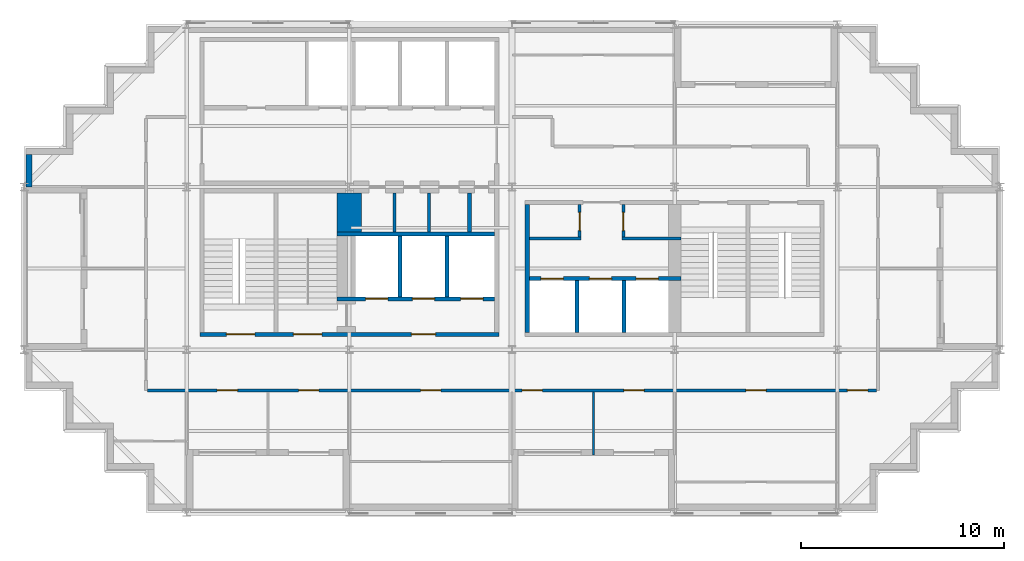
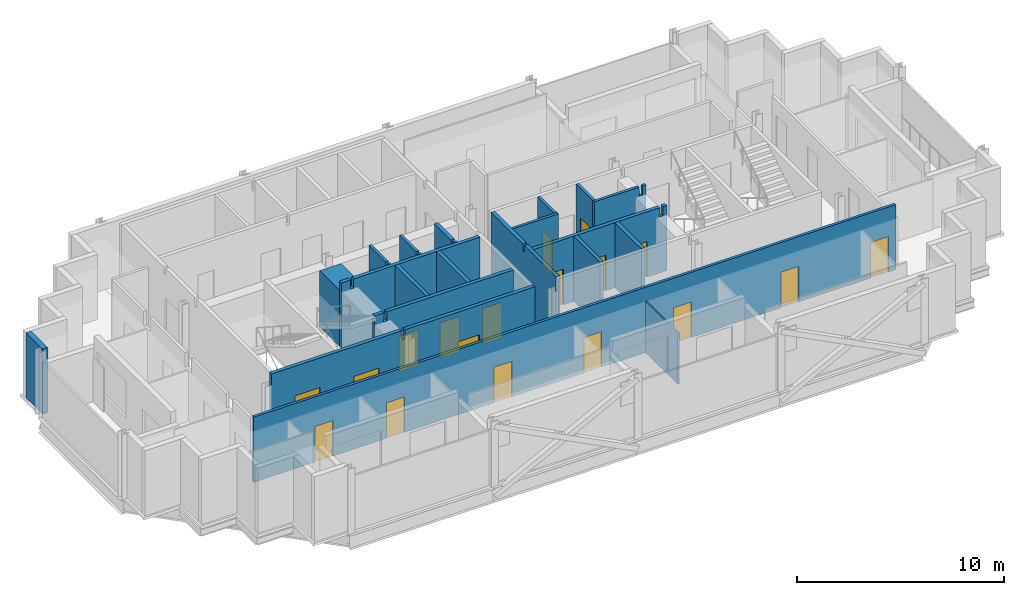
# One storey, part 5 of 9: 20 walls, 18 doors, 18 openings.
"""IFC4 building model written with IfcOpenShell, lengths in metres."""

from ifc_helpers import new_model, si_unit, direction, frame, frame_2d, origin, place, context, subcontext, project, spatial, polyline, rectangle, outline, extrude, material, layer, layer_set, type_object, element, fill, save


model = new_model("IFC4")

# Units and contexts
model_context = context("Model", 3, precision=1e-05, world=origin(), true_north=direction((0.0, 1.0)))
body_context = subcontext(model_context, "Body", "Model", "MODEL_VIEW")
ifc_project = project(units=[si_unit("LENGTHUNIT", "METRE"), si_unit("AREAUNIT", "SQUARE_METRE"), si_unit("VOLUMEUNIT", "CUBIC_METRE"), si_unit("PLANEANGLEUNIT", "RADIAN"), si_unit("MASSUNIT", "GRAM", prefix="KILO")], contexts=[model_context])

# Site, building, storey
site_placement = place(None, origin())
site = spatial("IfcSite", under=ifc_project, at=site_placement, CompositionType="ELEMENT")
building_placement = place(site_placement, origin())
building = spatial("IfcBuilding", under=site, at=building_placement, Name="Immortelle Media Tower", CompositionType="ELEMENT")
storey_placement = place(building_placement, frame((0.0, 0.0, 247.0)))
storey = spatial("IfcBuildingStorey", under=building, at=storey_placement, Name="L53", CompositionType="ELEMENT", Elevation=247.0)

# Walls
ifc_material_1 = material(Name="Fire-rated gypsum board", Category="gypsum")
ifc_layer_1 = layer(ifc_material_1, 0.02490234375)
ifc_material_2 = material(Name="Steel ASTM A653 SS Gr 50 stud frame with mineral wool", Category="steel")
ifc_layer_2 = layer(ifc_material_2, 0.10009765625)
ifc_layer_3 = layer(ifc_material_1, 0.02490234375)
ifc_layer_set_1 = layer_set([ifc_layer_1, ifc_layer_2, ifc_layer_3], Name="Steel ASTM A653 SS Gr 50 stud frame with mineral wool")
wall_type_1 = type_object("IfcWallType", Name="Core partition 150", PredefinedType="PARTITIONING", material=ifc_layer_set_1)
for number, where, z_axis, x_axis, name in (
    (1, (18.22509765625, 13.800048828125, 0.0), (0.0, 0.0, 1.0), (0.0, 1.0, 0.0), "Core partition SW"),
    (2, (19.925048828125, 13.800048828125, 0.0), (0.0, 0.0, 1.0), (0.0, 1.0, 0.0), "Core partition SW"),
):
    element("IfcWall", number, at=place(storey_placement, frame(where, z_axis=z_axis, x_axis=x_axis)), inside=storey, type_object=wall_type_1, Name=name, PredefinedType="PARTITIONING", context=body_context, shape_type="SweptSolid", body=[
        extrude(outline(polyline([(0.0, 0.0), (1.89990234375, 0.0), (1.89990234375, 3.85009765625), (0.27490234375, 3.85009765625), (0.27392578125, 3.43994140625), (0.1259765625, 3.43994140625), (0.125, 3.85009765625), (0.0, 3.85009765625), (0.0, 0.0)])), frame((0.0, 0.074951171875, 0.0), z_axis=(0.0, -1.0, 0.0), x_axis=(1.0, 0.0, 0.0)), (0.0, 0.0, 1.0), 0.14990234375),
    ])
wall_1_placement = place(storey_placement, frame((24.85009765625, 13.47509765625, 0.0), z_axis=(0.0, 0.0, 1.0), x_axis=(1.0, 0.0, 0.0)))
element("IfcWall", 3, at=wall_1_placement, inside=storey, type_object=wall_type_1, Name="Core partition SE", PredefinedType="PARTITIONING", context=body_context, shape_type="SweptSolid", body=[
    extrude(rectangle(XDim=2.5498046875, YDim=0.14990234375, at=frame_2d((1.27490234375, 0.0))), origin(), (0.0, 0.0, 1.0), 3.85009765625),
])

# Wall, opening, door
wall_2_placement = place(storey_placement, frame((27.324951171875, 13.550048828125, 0.0), z_axis=(0.0, 0.0, 1.0), x_axis=(0.0, 1.0, 0.0)))
wall_2 = element("IfcWall", 4, at=wall_2_placement, inside=storey, type_object=wall_type_1, Name="Core partition SE", PredefinedType="PARTITIONING", context=body_context, shape_type="SweptSolid", body=[
    extrude(rectangle(XDim=1.599853515625, YDim=0.14990234375, at=frame_2d((0.7998046875, 0.0))), origin(), (0.0, 0.0, 1.0), 3.85009765625),
])
opening_1_placement = place(wall_2_placement, frame((0.300048828125, 0.0, 0.0)))
opening_1 = element("IfcOpeningElement", 5, at=opening_1_placement, cuts=wall_2, Name="Opening X1-K020", PredefinedType="OPENING", context=body_context, shape_type="SweptSolid", body=[
    extrude(rectangle(XDim=0.89990234375, YDim=2.10009765625, at=frame_2d((0.449951171875, 1.050048828125))), frame((0.0, 0.0849609375, 0.0), z_axis=(0.0, -1.0, 0.0), x_axis=(1.0, 0.0, 0.0)), (0.0, 0.0, 1.0), 0.169921875),
])
ifc_material_3 = material(Name="Galvanised steel door leaf and frame ASTM A653", Category="steel")
door_type_1 = type_object("IfcDoorType", Name="Service door 900 x 2100", OperationType="NOTDEFINED", PredefinedType="NOTDEFINED", material=ifc_material_3)
door_1_placement = place(opening_1_placement, origin())
door_1 = element("IfcDoor", 6, at=door_1_placement, inside=storey, type_object=door_type_1, Name="Service X1-K020", OperationType="SINGLE_SWING_LEFT", OverallHeight=2.10009765625, OverallWidth=0.89990234375, PredefinedType="NOTDEFINED", context=body_context, shape_type="SweptSolid", body=[
    extrude(rectangle(XDim=0.89990234375, YDim=2.10009765625, at=frame_2d((0.449951171875, 1.050048828125))), frame((0.0, 0.02490234375, 0.0), z_axis=(0.0, -1.0, 0.0), x_axis=(1.0, 0.0, 0.0)), (0.0, 0.0, 1.0), 0.050048828125),
])
fill(opening_1, door_1)

# Wall
wall_3_placement = place(storey_placement, frame((29.39990234375, 13.47509765625, 0.0), z_axis=(0.0, 0.0, 1.0), x_axis=(1.0, 0.0, 0.0)))
element("IfcWall", 7, at=wall_3_placement, inside=storey, type_object=wall_type_1, Name="Core partition SE", PredefinedType="PARTITIONING", context=body_context, shape_type="SweptSolid", body=[
    extrude(outline(polyline([(0.0, 0.0), (2.900146484375, 0.0), (2.89990234375, 3.85009765625), (2.6884765625, 3.85009765625), (2.6875, 3.30810546875), (2.512451171875, 3.30810546875), (2.511474609375, 3.85009765625), (0.0, 3.85009765625), (0.0, 0.0)])), frame((0.0, 0.074951171875, 0.0), z_axis=(0.0, -1.0, 0.0), x_axis=(1.0, 0.0, 0.0)), (0.0, 0.0, 1.0), 0.14990234375),
])

# Wall, opening, door
wall_4_placement = place(storey_placement, frame((29.47509765625, 13.550048828125, 0.0), z_axis=(0.0, 0.0, 1.0), x_axis=(0.0, 1.0, 0.0)))
wall_4 = element("IfcWall", 8, at=wall_4_placement, inside=storey, type_object=wall_type_1, Name="Core partition SE", PredefinedType="PARTITIONING", context=body_context, shape_type="SweptSolid", body=[
    extrude(rectangle(XDim=1.599853515625, YDim=0.14990234375, at=frame_2d((0.7998046875, 0.0))), origin(), (0.0, 0.0, 1.0), 3.85009765625),
])
opening_2_placement = place(wall_4_placement, frame((1.199951171875, 0.0, 0.0), z_axis=(0.0, 0.0, 1.0), x_axis=(-1.0, 0.0, 0.0)))
opening_2 = element("IfcOpeningElement", 9, at=opening_2_placement, cuts=wall_4, Name="Opening X1-K023", PredefinedType="OPENING", context=body_context, shape_type="SweptSolid", body=[
    extrude(rectangle(XDim=0.89990234375, YDim=2.10009765625, at=frame_2d((0.449951171875, 1.050048828125))), frame((0.0, 0.0849609375, 0.0), z_axis=(0.0, -1.0, 0.0), x_axis=(1.0, 0.0, 0.0)), (0.0, 0.0, 1.0), 0.169921875),
])
ifc_material_4 = material(Name="Timber", Category="wood")
door_type_2 = type_object("IfcDoorType", Name="Room door 900 x 2100", OperationType="NOTDEFINED", PredefinedType="NOTDEFINED", material=ifc_material_4)
door_2_placement = place(opening_2_placement, origin())
door_2 = element("IfcDoor", 10, at=door_2_placement, inside=storey, type_object=door_type_2, Name="Room X1-K023", OperationType="SINGLE_SWING_RIGHT", OverallHeight=2.10009765625, OverallWidth=0.89990234375, PredefinedType="NOTDEFINED", context=body_context, shape_type="SweptSolid", body=[
    extrude(rectangle(XDim=0.89990234375, YDim=2.10009765625, at=frame_2d((0.449951171875, 1.050048828125))), frame((0.0, 0.02490234375, 0.0), z_axis=(0.0, -1.0, 0.0), x_axis=(1.0, 0.0, 0.0)), (0.0, 0.0, 1.0), 0.050048828125),
])
fill(opening_2, door_2)

# Wall, openings, doors
ifc_layer_4 = layer(ifc_material_1, 0.03759765625)
ifc_layer_5 = layer(ifc_material_2, 0.125)
ifc_layer_6 = layer(ifc_material_1, 0.03759765625)
ifc_layer_set_2 = layer_set([ifc_layer_4, ifc_layer_5, ifc_layer_6], Name="Steel ASTM A653 SS Gr 50 stud frame with mineral wool")
wall_type_2 = type_object("IfcWallType", Name="Core shaft wall 200", PredefinedType="PARTITIONING", material=ifc_layer_set_2)
wall_5_placement = place(storey_placement, frame((15.39990234375, 10.5, 0.0), z_axis=(0.0, 0.0, 1.0), x_axis=(1.0, 0.0, 0.0)))
wall_5 = element("IfcWall", 11, at=wall_5_placement, inside=storey, type_object=wall_type_2, Name="Core shaft wall SW", PredefinedType="PARTITIONING", context=body_context, shape_type="SweptSolid", body=[
    extrude(outline(polyline([(0.0, 0.0), (7.75, 0.0), (7.75, 3.85009765625), (0.6884765625, 3.85009765625), (0.6875, 3.30810546875), (0.512451171875, 3.30810546875), (0.511474609375, 3.85009765625), (0.0, 3.85009765625), (0.0, 0.0)])), frame((0.0, 0.10009765625, 0.0), z_axis=(0.0, -1.0, 0.0), x_axis=(1.0, 0.0, 0.0)), (0.0, 0.0, 1.0), 0.199951171875),
])
opening_3_placement = place(wall_5_placement, frame((1.39990234375, 0.0, 0.0)))
opening_3 = element("IfcOpeningElement", 12, at=opening_3_placement, cuts=wall_5, Name="Opening LD", PredefinedType="OPENING", context=body_context, shape_type="SweptSolid", body=[
    extrude(rectangle(XDim=1.10009765625, YDim=2.10009765625, at=frame_2d((0.550048828125, 1.050048828125))), frame((0.0, 0.10986328125, 0.0), z_axis=(0.0, -1.0, 0.0), x_axis=(1.0, 0.0, 0.0)), (0.0, 0.0, 1.0), 0.219970703125),
])
opening_4_placement = place(wall_5_placement, frame((3.699951171875, 0.0, 0.0)))
opening_4 = element("IfcOpeningElement", 13, at=opening_4_placement, cuts=wall_5, Name="Opening LD", PredefinedType="OPENING", context=body_context, shape_type="SweptSolid", body=[
    extrude(rectangle(XDim=1.10009765625, YDim=2.10009765625, at=frame_2d((0.550048828125, 1.050048828125))), frame((0.0, 0.10986328125, 0.0), z_axis=(0.0, -1.0, 0.0), x_axis=(1.0, 0.0, 0.0)), (0.0, 0.0, 1.0), 0.219970703125),
])
opening_5_placement = place(wall_5_placement, frame((6.074951171875, 0.0, 0.0)))
opening_5 = element("IfcOpeningElement", 14, at=opening_5_placement, cuts=wall_5, Name="Opening LD", PredefinedType="OPENING", context=body_context, shape_type="SweptSolid", body=[
    extrude(rectangle(XDim=1.10009765625, YDim=2.10009765625, at=frame_2d((0.550048828125, 1.050048828125))), frame((0.0, 0.10986328125, 0.0), z_axis=(0.0, -1.0, 0.0), x_axis=(1.0, 0.0, 0.0)), (0.0, 0.0, 1.0), 0.219970703125),
])
ifc_material_5 = material(Name="Stainless steel AISI 304", Category="steel")
door_type_3 = type_object("IfcDoorType", Name="Landing door 1100 x 2100", OperationType="SLIDING_TO_LEFT", PredefinedType="NOTDEFINED", material=ifc_material_5)
door_3_placement = place(opening_3_placement, origin())
door_3 = element("IfcDoor", 15, at=door_3_placement, inside=storey, type_object=door_type_3, Name="Landing door FF1 L53", OperationType="SLIDING_TO_LEFT", OverallHeight=2.10009765625, OverallWidth=1.10009765625, PredefinedType="NOTDEFINED", context=body_context, shape_type="SweptSolid", body=[
    extrude(rectangle(XDim=1.10009765625, YDim=2.10009765625, at=frame_2d((0.550048828125, 1.050048828125))), frame((0.0, 0.02490234375, 0.0), z_axis=(0.0, -1.0, 0.0), x_axis=(1.0, 0.0, 0.0)), (0.0, 0.0, 1.0), 0.050048828125),
])
fill(opening_3, door_3)
door_4_placement = place(opening_4_placement, origin())
door_4 = element("IfcDoor", 16, at=door_4_placement, inside=storey, type_object=door_type_3, Name="Landing door FF2 L53", OperationType="SLIDING_TO_LEFT", OverallHeight=2.10009765625, OverallWidth=1.10009765625, PredefinedType="NOTDEFINED", context=body_context, shape_type="SweptSolid", body=[
    extrude(rectangle(XDim=1.10009765625, YDim=2.10009765625, at=frame_2d((0.550048828125, 1.050048828125))), frame((0.0, 0.02490234375, 0.0), z_axis=(0.0, -1.0, 0.0), x_axis=(1.0, 0.0, 0.0)), (0.0, 0.0, 1.0), 0.050048828125),
])
fill(opening_4, door_4)
door_5_placement = place(opening_5_placement, origin())
door_5 = element("IfcDoor", 17, at=door_5_placement, inside=storey, type_object=door_type_3, Name="Landing door FF3 L53", OperationType="SLIDING_TO_LEFT", OverallHeight=2.10009765625, OverallWidth=1.10009765625, PredefinedType="NOTDEFINED", context=body_context, shape_type="SweptSolid", body=[
    extrude(rectangle(XDim=1.10009765625, YDim=2.10009765625, at=frame_2d((0.550048828125, 1.050048828125))), frame((0.0, 0.02490234375, 0.0), z_axis=(0.0, -1.0, 0.0), x_axis=(1.0, 0.0, 0.0)), (0.0, 0.0, 1.0), 0.050048828125),
])
fill(opening_5, door_5)

# Walls
wall_6_placement = place(storey_placement, frame((15.39990234375, 13.699951171875, 0.0), z_axis=(0.0, 0.0, 1.0), x_axis=(1.0, 0.0, 0.0)))
element("IfcWall", 18, at=wall_6_placement, inside=storey, type_object=wall_type_2, Name="Core shaft wall SW", PredefinedType="PARTITIONING", context=body_context, shape_type="SweptSolid", body=[
    extrude(outline(polyline([(0.0, 0.0), (7.75, 0.0), (7.75, 3.85009765625), (0.6884765625, 3.85009765625), (0.6875, 3.30810546875), (0.512451171875, 3.30810546875), (0.511474609375, 3.85009765625), (0.0, 3.85009765625), (0.0, 0.0)])), frame((0.0, 0.10009765625, 0.0), z_axis=(0.0, -1.0, 0.0), x_axis=(1.0, 0.0, 0.0)), (0.0, 0.0, 1.0), 0.199951171875),
])
for number, where, z_axis, x_axis, name in (
    (19, (18.5, 10.60009765625, 0.0), (0.0, 0.0, 1.0), (0.0, 1.0, 0.0), "Core shaft wall SW"),
    (20, (20.800048828125, 10.60009765625, 0.0), (0.0, 0.0, 1.0), (0.0, 1.0, 0.0), "Core shaft wall SW"),
):
    element("IfcWall", number, at=place(storey_placement, frame(where, z_axis=z_axis, x_axis=x_axis)), inside=storey, type_object=wall_type_2, Name=name, PredefinedType="PARTITIONING", context=body_context, shape_type="SweptSolid", body=[
        extrude(rectangle(XDim=3.0, YDim=0.199951171875, at=frame_2d((1.5, 0.0))), origin(), (0.0, 0.0, 1.0), 3.85009765625),
    ])
wall_7_placement = place(storey_placement, frame((21.89990234375, 13.800048828125, 0.0), z_axis=(0.0, 0.0, 1.0), x_axis=(0.0, 1.0, 0.0)))
element("IfcWall", 21, at=wall_7_placement, inside=storey, type_object=wall_type_2, Name="Core shaft wall SW", PredefinedType="PARTITIONING", context=body_context, shape_type="SweptSolid", body=[
    extrude(outline(polyline([(0.0, 0.0), (1.89990234375, 0.0), (1.89990234375, 3.85009765625), (0.27490234375, 3.85009765625), (0.27392578125, 3.43994140625), (0.1259765625, 3.43994140625), (0.125, 3.85009765625), (0.0, 3.85009765625), (0.0, 0.0)])), frame((0.0, 0.10009765625, 0.0), z_axis=(0.0, -1.0, 0.0), x_axis=(1.0, 0.0, 0.0)), (0.0, 0.0, 1.0), 0.199951171875),
])
wall_8_placement = place(storey_placement, frame((24.75, 8.85009765625, 0.0), z_axis=(0.0, 0.0, 1.0), x_axis=(0.0, 1.0, 0.0)))
element("IfcWall", 22, at=wall_8_placement, inside=storey, type_object=wall_type_2, Name="Core shaft wall SE", PredefinedType="PARTITIONING", context=body_context, shape_type="SweptSolid", body=[
    extrude(outline(polyline([(0.0, 0.0), (6.2998046875, 0.0), (6.300048828125, 3.85009765625), (3.22509765625, 3.85009765625), (3.22412109375, 3.43994140625), (3.075927734375, 3.43994140625), (3.074951171875, 3.85009765625), (0.0, 3.85009765625), (0.0, 0.0)])), frame((0.0, 0.10009765625, 0.0), z_axis=(0.0, -1.0, 0.0), x_axis=(1.0, 0.0, 0.0)), (0.0, 0.0, 1.0), 0.199951171875),
])

# Wall, openings, doors
wall_9_placement = place(storey_placement, frame((24.85009765625, 11.5, 0.0), z_axis=(0.0, 0.0, 1.0), x_axis=(1.0, 0.0, 0.0)))
wall_9 = element("IfcWall", 23, at=wall_9_placement, inside=storey, type_object=wall_type_2, Name="Core shaft wall SE", PredefinedType="PARTITIONING", context=body_context, shape_type="SweptSolid", body=[
    extrude(outline(polyline([(0.0, 0.0), (7.449951171875, 0.0), (7.449951171875, 3.85009765625), (7.238525390625, 3.85009765625), (7.237548828125, 3.30810546875), (7.0625, 3.30810546875), (7.0615234375, 3.85009765625), (0.0, 3.85009765625), (0.0, 0.0)])), frame((0.0, 0.10009765625, 0.0), z_axis=(0.0, -1.0, 0.0), x_axis=(1.0, 0.0, 0.0)), (0.0, 0.0, 1.0), 0.199951171875),
])
opening_6_placement = place(wall_9_placement, frame((0.574951171875, 0.0, 0.0)))
opening_6 = element("IfcOpeningElement", 24, at=opening_6_placement, cuts=wall_9, Name="Opening LD", PredefinedType="OPENING", context=body_context, shape_type="SweptSolid", body=[
    extrude(rectangle(XDim=1.10009765625, YDim=2.10009765625, at=frame_2d((0.550048828125, 1.050048828125))), frame((0.0, 0.10986328125, 0.0), z_axis=(0.0, -1.0, 0.0), x_axis=(1.0, 0.0, 0.0)), (0.0, 0.0, 1.0), 0.219970703125),
])
opening_7_placement = place(wall_9_placement, frame((2.949951171875, 0.0, 0.0)))
opening_7 = element("IfcOpeningElement", 25, at=opening_7_placement, cuts=wall_9, Name="Opening LD", PredefinedType="OPENING", context=body_context, shape_type="SweptSolid", body=[
    extrude(rectangle(XDim=1.10009765625, YDim=2.10009765625, at=frame_2d((0.550048828125, 1.050048828125))), frame((0.0, 0.10986328125, 0.0), z_axis=(0.0, -1.0, 0.0), x_axis=(1.0, 0.0, 0.0)), (0.0, 0.0, 1.0), 0.219970703125),
])
opening_8_placement = place(wall_9_placement, frame((5.25, 0.0, 0.0)))
opening_8 = element("IfcOpeningElement", 26, at=opening_8_placement, cuts=wall_9, Name="Opening LD", PredefinedType="OPENING", context=body_context, shape_type="SweptSolid", body=[
    extrude(rectangle(XDim=1.10009765625, YDim=2.10009765625, at=frame_2d((0.550048828125, 1.050048828125))), frame((0.0, 0.10986328125, 0.0), z_axis=(0.0, -1.0, 0.0), x_axis=(1.0, 0.0, 0.0)), (0.0, 0.0, 1.0), 0.219970703125),
])
door_6_placement = place(opening_6_placement, origin())
door_6 = element("IfcDoor", 27, at=door_6_placement, inside=storey, type_object=door_type_3, Name="Landing door HS1 L53", OperationType="SLIDING_TO_LEFT", OverallHeight=2.10009765625, OverallWidth=1.10009765625, PredefinedType="NOTDEFINED", context=body_context, shape_type="SweptSolid", body=[
    extrude(rectangle(XDim=1.10009765625, YDim=2.10009765625, at=frame_2d((0.550048828125, 1.050048828125))), frame((0.0, 0.02490234375, 0.0), z_axis=(0.0, -1.0, 0.0), x_axis=(1.0, 0.0, 0.0)), (0.0, 0.0, 1.0), 0.050048828125),
])
fill(opening_6, door_6)
door_7_placement = place(opening_7_placement, origin())
door_7 = element("IfcDoor", 28, at=door_7_placement, inside=storey, type_object=door_type_3, Name="Landing door HS2 L53", OperationType="SLIDING_TO_LEFT", OverallHeight=2.10009765625, OverallWidth=1.10009765625, PredefinedType="NOTDEFINED", context=body_context, shape_type="SweptSolid", body=[
    extrude(rectangle(XDim=1.10009765625, YDim=2.10009765625, at=frame_2d((0.550048828125, 1.050048828125))), frame((0.0, 0.02490234375, 0.0), z_axis=(0.0, -1.0, 0.0), x_axis=(1.0, 0.0, 0.0)), (0.0, 0.0, 1.0), 0.050048828125),
])
fill(opening_7, door_7)
door_8_placement = place(opening_8_placement, origin())
door_8 = element("IfcDoor", 29, at=door_8_placement, inside=storey, type_object=door_type_3, Name="Landing door HS3 L53", OperationType="SLIDING_TO_LEFT", OverallHeight=2.10009765625, OverallWidth=1.10009765625, PredefinedType="NOTDEFINED", context=body_context, shape_type="SweptSolid", body=[
    extrude(rectangle(XDim=1.10009765625, YDim=2.10009765625, at=frame_2d((0.550048828125, 1.050048828125))), frame((0.0, 0.02490234375, 0.0), z_axis=(0.0, -1.0, 0.0), x_axis=(1.0, 0.0, 0.0)), (0.0, 0.0, 1.0), 0.050048828125),
])
fill(opening_8, door_8)

# Walls
for number, where, z_axis, x_axis, name in (
    (30, (27.199951171875, 8.85009765625, 0.0), (0.0, 0.0, 1.0), (0.0, 1.0, 0.0), "Core shaft wall SE"),
    (31, (29.5, 8.85009765625, 0.0), (0.0, 0.0, 1.0), (0.0, 1.0, 0.0), "Core shaft wall SE"),
):
    element("IfcWall", number, at=place(storey_placement, frame(where, z_axis=z_axis, x_axis=x_axis)), inside=storey, type_object=wall_type_2, Name=name, PredefinedType="PARTITIONING", context=body_context, shape_type="SweptSolid", body=[
        extrude(rectangle(XDim=2.5498046875, YDim=0.199951171875, at=frame_2d((1.27490234375, 0.0))), origin(), (0.0, 0.0, 1.0), 3.85009765625),
    ])

# Wall, openings, doors
ifc_layer_7 = layer(ifc_material_1, 0.012451171875)
ifc_layer_8 = layer(ifc_material_2, 0.125)
ifc_layer_9 = layer(ifc_material_1, 0.012451171875)
ifc_layer_set_3 = layer_set([ifc_layer_7, ifc_layer_8, ifc_layer_9], Name="Steel ASTM A653 SS Gr 50 stud frame with mineral wool")
wall_type_3 = type_object("IfcWallType", Name="Corridor wall 150", PredefinedType="PARTITIONING", material=ifc_layer_set_3)
wall_10_placement = place(storey_placement, frame((6.074951171875, 6.0, 0.0), z_axis=(0.0, 0.0, 1.0), x_axis=(1.0, 0.0, 0.0)))
wall_10 = element("IfcWall", 32, at=wall_10_placement, inside=storey, type_object=wall_type_3, Name="Partition L53-013", PredefinedType="PARTITIONING", context=body_context, shape_type="SweptSolid", body=[
    extrude(rectangle(XDim=35.85009765625, YDim=0.14990234375, at=frame_2d((17.925048828125, 0.0))), origin(), (0.0, 0.0, 1.0), 3.85009765625),
])
opening_9_placement = place(wall_10_placement, frame((14.425048828125, 0.0, 0.0), z_axis=(0.0, 0.0, 1.0), x_axis=(-1.0, 0.0, 0.0)))
opening_9 = element("IfcOpeningElement", 33, at=opening_9_placement, cuts=wall_10, Name="Opening X1-F001", PredefinedType="OPENING", context=body_context, shape_type="SweptSolid", body=[
    extrude(rectangle(XDim=1.0, YDim=2.10009765625, at=frame_2d((0.5, 1.050048828125))), frame((0.0, 0.0849609375, 0.0), z_axis=(0.0, -1.0, 0.0), x_axis=(1.0, 0.0, 0.0)), (0.0, 0.0, 1.0), 0.169921875),
])
opening_10_placement = place(wall_10_placement, frame((30.425048828125, 0.0, 0.0), z_axis=(0.0, 0.0, 1.0), x_axis=(-1.0, 0.0, 0.0)))
opening_10 = element("IfcOpeningElement", 34, at=opening_10_placement, cuts=wall_10, Name="Opening X1-F003", PredefinedType="OPENING", context=body_context, shape_type="SweptSolid", body=[
    extrude(rectangle(XDim=1.0, YDim=2.10009765625, at=frame_2d((0.5, 1.050048828125))), frame((0.0, 0.0849609375, 0.0), z_axis=(0.0, -1.0, 0.0), x_axis=(1.0, 0.0, 0.0)), (0.0, 0.0, 1.0), 0.169921875),
])
opening_11_placement = place(wall_10_placement, frame((4.425048828125, 0.0, 0.0), z_axis=(0.0, 0.0, 1.0), x_axis=(-1.0, 0.0, 0.0)))
opening_11 = element("IfcOpeningElement", 35, at=opening_11_placement, cuts=wall_10, Name="Opening X1-F005", PredefinedType="OPENING", context=body_context, shape_type="SweptSolid", body=[
    extrude(rectangle(XDim=1.0, YDim=2.10009765625, at=frame_2d((0.5, 1.050048828125))), frame((0.0, 0.0849609375, 0.0), z_axis=(0.0, -1.0, 0.0), x_axis=(1.0, 0.0, 0.0)), (0.0, 0.0, 1.0), 0.169921875),
])
opening_12_placement = place(wall_10_placement, frame((8.425048828125, 0.0, 0.0), z_axis=(0.0, 0.0, 1.0), x_axis=(-1.0, 0.0, 0.0)))
opening_12 = element("IfcOpeningElement", 36, at=opening_12_placement, cuts=wall_10, Name="Opening X1-F006", PredefinedType="OPENING", context=body_context, shape_type="SweptSolid", body=[
    extrude(rectangle(XDim=1.0, YDim=2.10009765625, at=frame_2d((0.5, 1.050048828125))), frame((0.0, 0.0849609375, 0.0), z_axis=(0.0, -1.0, 0.0), x_axis=(1.0, 0.0, 0.0)), (0.0, 0.0, 1.0), 0.169921875),
])
opening_13_placement = place(wall_10_placement, frame((19.425048828125, 0.0, 0.0), z_axis=(0.0, 0.0, 1.0), x_axis=(-1.0, 0.0, 0.0)))
opening_13 = element("IfcOpeningElement", 37, at=opening_13_placement, cuts=wall_10, Name="Opening X1-F007", PredefinedType="OPENING", context=body_context, shape_type="SweptSolid", body=[
    extrude(rectangle(XDim=1.0, YDim=2.10009765625, at=frame_2d((0.5, 1.050048828125))), frame((0.0, 0.0849609375, 0.0), z_axis=(0.0, -1.0, 0.0), x_axis=(1.0, 0.0, 0.0)), (0.0, 0.0, 1.0), 0.169921875),
])
opening_14_placement = place(wall_10_placement, frame((24.425048828125, 0.0, 0.0), z_axis=(0.0, 0.0, 1.0), x_axis=(-1.0, 0.0, 0.0)))
opening_14 = element("IfcOpeningElement", 38, at=opening_14_placement, cuts=wall_10, Name="Opening X1-F008", PredefinedType="OPENING", context=body_context, shape_type="SweptSolid", body=[
    extrude(rectangle(XDim=1.0, YDim=2.10009765625, at=frame_2d((0.5, 1.050048828125))), frame((0.0, 0.0849609375, 0.0), z_axis=(0.0, -1.0, 0.0), x_axis=(1.0, 0.0, 0.0)), (0.0, 0.0, 1.0), 0.169921875),
])
opening_15_placement = place(wall_10_placement, frame((35.425048828125, 0.0, 0.0), z_axis=(0.0, 0.0, 1.0), x_axis=(-1.0, 0.0, 0.0)))
opening_15 = element("IfcOpeningElement", 39, at=opening_15_placement, cuts=wall_10, Name="Opening X1-F011", PredefinedType="OPENING", context=body_context, shape_type="SweptSolid", body=[
    extrude(rectangle(XDim=1.0, YDim=2.10009765625, at=frame_2d((0.5, 1.050048828125))), frame((0.0, 0.0849609375, 0.0), z_axis=(0.0, -1.0, 0.0), x_axis=(1.0, 0.0, 0.0)), (0.0, 0.0, 1.0), 0.169921875),
])
ifc_material_6 = material(Name="Timber veneered door leaf, galvanised steel frame ASTM A653", Category="steel")
door_type_4 = type_object("IfcDoorType", Name="Room door 1000 x 2100", OperationType="NOTDEFINED", PredefinedType="DOOR", material=ifc_material_6)
door_9_placement = place(opening_9_placement, origin())
door_9 = element("IfcDoor", 40, at=door_9_placement, inside=storey, type_object=door_type_4, Name="Door X1-F001", OperationType="SINGLE_SWING_LEFT", OverallHeight=2.10009765625, OverallWidth=1.0, PredefinedType="DOOR", context=body_context, shape_type="SweptSolid", body=[
    extrude(rectangle(XDim=1.0, YDim=2.10009765625, at=frame_2d((0.5, 1.050048828125))), frame((0.0, 0.02490234375, 0.0), z_axis=(0.0, -1.0, 0.0), x_axis=(1.0, 0.0, 0.0)), (0.0, 0.0, 1.0), 0.050048828125),
])
fill(opening_9, door_9)
door_10_placement = place(opening_10_placement, origin())
door_10 = element("IfcDoor", 41, at=door_10_placement, inside=storey, type_object=door_type_4, Name="Door X1-F003", OperationType="SINGLE_SWING_RIGHT", OverallHeight=2.10009765625, OverallWidth=1.0, PredefinedType="DOOR", context=body_context, shape_type="SweptSolid", body=[
    extrude(rectangle(XDim=1.0, YDim=2.10009765625, at=frame_2d((0.5, 1.050048828125))), frame((0.0, 0.02490234375, 0.0), z_axis=(0.0, -1.0, 0.0), x_axis=(1.0, 0.0, 0.0)), (0.0, 0.0, 1.0), 0.050048828125),
])
fill(opening_10, door_10)
door_11_placement = place(opening_11_placement, origin())
door_11 = element("IfcDoor", 42, at=door_11_placement, inside=storey, type_object=door_type_4, Name="Door X1-F005", OperationType="SINGLE_SWING_RIGHT", OverallHeight=2.10009765625, OverallWidth=1.0, PredefinedType="DOOR", context=body_context, shape_type="SweptSolid", body=[
    extrude(rectangle(XDim=1.0, YDim=2.10009765625, at=frame_2d((0.5, 1.050048828125))), frame((0.0, 0.02490234375, 0.0), z_axis=(0.0, -1.0, 0.0), x_axis=(1.0, 0.0, 0.0)), (0.0, 0.0, 1.0), 0.050048828125),
])
fill(opening_11, door_11)
door_12_placement = place(opening_12_placement, origin())
door_12 = element("IfcDoor", 43, at=door_12_placement, inside=storey, type_object=door_type_4, Name="Door X1-F006", OperationType="SINGLE_SWING_RIGHT", OverallHeight=2.10009765625, OverallWidth=1.0, PredefinedType="DOOR", context=body_context, shape_type="SweptSolid", body=[
    extrude(rectangle(XDim=1.0, YDim=2.10009765625, at=frame_2d((0.5, 1.050048828125))), frame((0.0, 0.02490234375, 0.0), z_axis=(0.0, -1.0, 0.0), x_axis=(1.0, 0.0, 0.0)), (0.0, 0.0, 1.0), 0.050048828125),
])
fill(opening_12, door_12)
door_13_placement = place(opening_13_placement, origin())
door_13 = element("IfcDoor", 44, at=door_13_placement, inside=storey, type_object=door_type_4, Name="Door X1-F007", OperationType="SINGLE_SWING_RIGHT", OverallHeight=2.10009765625, OverallWidth=1.0, PredefinedType="DOOR", context=body_context, shape_type="SweptSolid", body=[
    extrude(rectangle(XDim=1.0, YDim=2.10009765625, at=frame_2d((0.5, 1.050048828125))), frame((0.0, 0.02490234375, 0.0), z_axis=(0.0, -1.0, 0.0), x_axis=(1.0, 0.0, 0.0)), (0.0, 0.0, 1.0), 0.050048828125),
])
fill(opening_13, door_13)
door_14_placement = place(opening_14_placement, origin())
door_14 = element("IfcDoor", 45, at=door_14_placement, inside=storey, type_object=door_type_4, Name="Door X1-F008", OperationType="SINGLE_SWING_LEFT", OverallHeight=2.10009765625, OverallWidth=1.0, PredefinedType="DOOR", context=body_context, shape_type="SweptSolid", body=[
    extrude(rectangle(XDim=1.0, YDim=2.10009765625, at=frame_2d((0.5, 1.050048828125))), frame((0.0, 0.02490234375, 0.0), z_axis=(0.0, -1.0, 0.0), x_axis=(1.0, 0.0, 0.0)), (0.0, 0.0, 1.0), 0.050048828125),
])
fill(opening_14, door_14)
door_15_placement = place(opening_15_placement, origin())
door_15 = element("IfcDoor", 46, at=door_15_placement, inside=storey, type_object=door_type_4, Name="Door X1-F011", OperationType="SINGLE_SWING_RIGHT", OverallHeight=2.10009765625, OverallWidth=1.0, PredefinedType="DOOR", context=body_context, shape_type="SweptSolid", body=[
    extrude(rectangle(XDim=1.0, YDim=2.10009765625, at=frame_2d((0.5, 1.050048828125))), frame((0.0, 0.02490234375, 0.0), z_axis=(0.0, -1.0, 0.0), x_axis=(1.0, 0.0, 0.0)), (0.0, 0.0, 1.0), 0.050048828125),
])
fill(opening_15, door_15)

# Walls
ifc_material_7 = material(Name="Pale aluminium cladding panel", Category="aluminium")
ifc_layer_10 = layer(ifc_material_7, 0.030029296875)
ifc_layer_11 = layer(ifc_material_2, 0.257568359375)
ifc_material_8 = material(Name="Moisture-resistant gypsum board", Category="gypsum")
ifc_layer_12 = layer(ifc_material_8, 0.012451171875)
ifc_layer_set_4 = layer_set([ifc_layer_10, ifc_layer_11, ifc_layer_12], Name="Steel ASTM A653 SS Gr 50 stud frame with mineral wool")
wall_type_4 = type_object("IfcWallType", Name="Facade wall 300", PredefinedType="SOLIDWALL", material=ifc_layer_set_4)
wall_11_placement = place(storey_placement, frame((0.25, 17.60009765625, 0.0), z_axis=(0.0, 0.0, 1.0), x_axis=(0.0, -1.0, 0.0)))
element("IfcWall", 47, at=wall_11_placement, inside=storey, type_object=wall_type_4, Name="Facade wall L53 W27", PredefinedType="SOLIDWALL", context=body_context, shape_type="SweptSolid", body=[
    extrude(rectangle(XDim=1.60009765625, YDim=0.300048828125, at=frame_2d((0.800048828125, 0.0))), origin(), (0.0, 0.0, 1.0), 3.85009765625),
])
ifc_material_9 = material(Name="Gypsum board", Category="gypsum")
ifc_layer_13 = layer(ifc_material_9, 0.012451171875)
ifc_layer_14 = layer(ifc_material_2, 0.074951171875)
ifc_layer_15 = layer(ifc_material_9, 0.012451171875)
ifc_layer_set_5 = layer_set([ifc_layer_13, ifc_layer_14, ifc_layer_15], Name="Steel ASTM A653 SS Gr 50 stud frame with mineral wool")
wall_type_5 = type_object("IfcWallType", Name="Partition 100", PredefinedType="PARTITIONING", material=ifc_layer_set_5)
wall_12_placement = place(storey_placement, frame((28.0, 2.830078125, 0.0), z_axis=(0.0, 0.0, 1.0), x_axis=(0.0, 1.0, 0.0)))
element("IfcWall", 48, at=wall_12_placement, inside=storey, type_object=wall_type_5, Name="Partition L53-009", PredefinedType="PARTITIONING", context=body_context, shape_type="SweptSolid", body=[
    extrude(rectangle(XDim=3.094970703125, YDim=0.10009765625, at=frame_2d((1.54736328125, 0.0))), origin(), (0.0, 0.0, 1.0), 3.013916015625),
])
ifc_material_10 = material(Name="Concrete C60", Category="concrete")
ifc_layer_16 = layer(ifc_material_10, 1.199951171875)
ifc_layer_set_6 = layer_set([ifc_layer_16], Name="Concrete C60")
wall_type_6 = type_object("IfcWallType", Name="Stair shaft wall 1200", PredefinedType="PARTITIONING", material=ifc_layer_set_6)
wall_13_placement = place(storey_placement, frame((16.0, 13.800048828125, 0.0), z_axis=(0.0, 0.0, 1.0), x_axis=(0.0, 1.0, 0.0)))
element("IfcWall", 49, at=wall_13_placement, inside=storey, type_object=wall_type_6, Name="Stair shaft wall SW", PredefinedType="PARTITIONING", context=body_context, shape_type="SweptSolid", body=[
    extrude(rectangle(XDim=1.89990234375, YDim=1.199951171875, at=frame_2d((0.949951171875, 0.0))), origin(), (0.0, 0.0, 1.0), 3.30810546875),
])

# Wall, openings, doors
ifc_layer_17 = layer(ifc_material_10, 0.199951171875)
ifc_layer_set_7 = layer_set([ifc_layer_17], Name="Concrete C60")
wall_type_7 = type_object("IfcWallType", Name="Stair shaft wall 200", PredefinedType="PARTITIONING", material=ifc_layer_set_7)
wall_14_placement = place(storey_placement, frame((8.64990234375, 8.75, 0.0), z_axis=(0.0, 0.0, 1.0), x_axis=(1.0, 0.0, 0.0)))
wall_14 = element("IfcWall", 50, at=wall_14_placement, inside=storey, type_object=wall_type_7, Name="Stair shaft wall SW", PredefinedType="PARTITIONING", context=body_context, shape_type="SweptSolid", body=[
    extrude(outline(polyline([(0.0, 0.0), (14.7001953125, 0.0), (14.699951171875, 3.85009765625), (7.4384765625, 3.85009765625), (7.4375, 3.30810546875), (7.262451171875, 3.30810546875), (7.261474609375, 3.85009765625), (0.0, 3.85009765625), (0.0, 0.0)])), frame((0.0, 0.10009765625, 0.0), z_axis=(0.0, -1.0, 0.0), x_axis=(1.0, 0.0, 0.0)), (0.0, 0.0, 1.0), 0.199951171875),
])
opening_16_placement = place(wall_14_placement, frame((1.300048828125, 0.0, 0.0)))
opening_16 = element("IfcOpeningElement", 51, at=opening_16_placement, cuts=wall_14, Name="Opening X1-K002", PredefinedType="OPENING", context=body_context, shape_type="SweptSolid", body=[
    extrude(rectangle(XDim=1.39990234375, YDim=2.10009765625, at=frame_2d((0.699951171875, 1.050048828125))), frame((0.0, 0.10986328125, 0.0), z_axis=(0.0, -1.0, 0.0), x_axis=(1.0, 0.0, 0.0)), (0.0, 0.0, 1.0), 0.219970703125),
])
opening_17_placement = place(wall_14_placement, frame((4.60009765625, 0.0, 0.0)))
opening_17 = element("IfcOpeningElement", 52, at=opening_17_placement, cuts=wall_14, Name="Opening X1-K004", PredefinedType="OPENING", context=body_context, shape_type="SweptSolid", body=[
    extrude(rectangle(XDim=1.39990234375, YDim=2.10009765625, at=frame_2d((0.699951171875, 1.050048828125))), frame((0.0, 0.10986328125, 0.0), z_axis=(0.0, -1.0, 0.0), x_axis=(1.0, 0.0, 0.0)), (0.0, 0.0, 1.0), 0.219970703125),
])
opening_18_placement = place(wall_14_placement, frame((10.39990234375, 0.0, 0.0)))
opening_18 = element("IfcOpeningElement", 53, at=opening_18_placement, cuts=wall_14, Name="Opening X1-K011", PredefinedType="OPENING", context=body_context, shape_type="SweptSolid", body=[
    extrude(rectangle(XDim=1.199951171875, YDim=2.10009765625, at=frame_2d((0.60009765625, 1.050048828125))), frame((0.0, 0.10986328125, 0.0), z_axis=(0.0, -1.0, 0.0), x_axis=(1.0, 0.0, 0.0)), (0.0, 0.0, 1.0), 0.219970703125),
])
door_type_5 = type_object("IfcDoorType", Name="Fire-fighting lobby door 1200 x 2100", OperationType="NOTDEFINED", PredefinedType="NOTDEFINED", material=ifc_material_3)
door_16_placement = place(opening_18_placement, origin())
door_16 = element("IfcDoor", 54, at=door_16_placement, inside=storey, type_object=door_type_5, Name="Fire-fighting lobby X1-K011", OperationType="SINGLE_SWING_LEFT", OverallHeight=2.10009765625, OverallWidth=1.199951171875, PredefinedType="NOTDEFINED", context=body_context, shape_type="SweptSolid", body=[
    extrude(rectangle(XDim=1.199951171875, YDim=2.10009765625, at=frame_2d((0.60009765625, 1.050048828125))), frame((0.0, 0.02490234375, 0.0), z_axis=(0.0, -1.0, 0.0), x_axis=(1.0, 0.0, 0.0)), (0.0, 0.0, 1.0), 0.050048828125),
])
fill(opening_18, door_16)
door_type_6 = type_object("IfcDoorType", Name="Stair door 1400 x 2100", OperationType="DOUBLE_DOOR_SINGLE_SWING", PredefinedType="NOTDEFINED", material=ifc_material_3)
door_17_placement = place(opening_16_placement, origin())
door_17 = element("IfcDoor", 55, at=door_17_placement, inside=storey, type_object=door_type_6, Name="Stair X1-K002", OperationType="DOUBLE_DOOR_SINGLE_SWING", OverallHeight=2.10009765625, OverallWidth=1.39990234375, PredefinedType="NOTDEFINED", context=body_context, shape_type="SweptSolid", body=[
    extrude(rectangle(XDim=1.39990234375, YDim=2.10009765625, at=frame_2d((0.699951171875, 1.050048828125))), frame((0.0, 0.02490234375, 0.0), z_axis=(0.0, -1.0, 0.0), x_axis=(1.0, 0.0, 0.0)), (0.0, 0.0, 1.0), 0.050048828125),
])
fill(opening_16, door_17)
door_18_placement = place(opening_17_placement, origin())
door_18 = element("IfcDoor", 56, at=door_18_placement, inside=storey, type_object=door_type_6, Name="Stair X1-K004", OperationType="DOUBLE_DOOR_SINGLE_SWING", OverallHeight=2.10009765625, OverallWidth=1.39990234375, PredefinedType="NOTDEFINED", context=body_context, shape_type="SweptSolid", body=[
    extrude(rectangle(XDim=1.39990234375, YDim=2.10009765625, at=frame_2d((0.699951171875, 1.050048828125))), frame((0.0, 0.02490234375, 0.0), z_axis=(0.0, -1.0, 0.0), x_axis=(1.0, 0.0, 0.0)), (0.0, 0.0, 1.0), 0.050048828125),
])
fill(opening_17, door_18)

save(model, "model.ifc")
